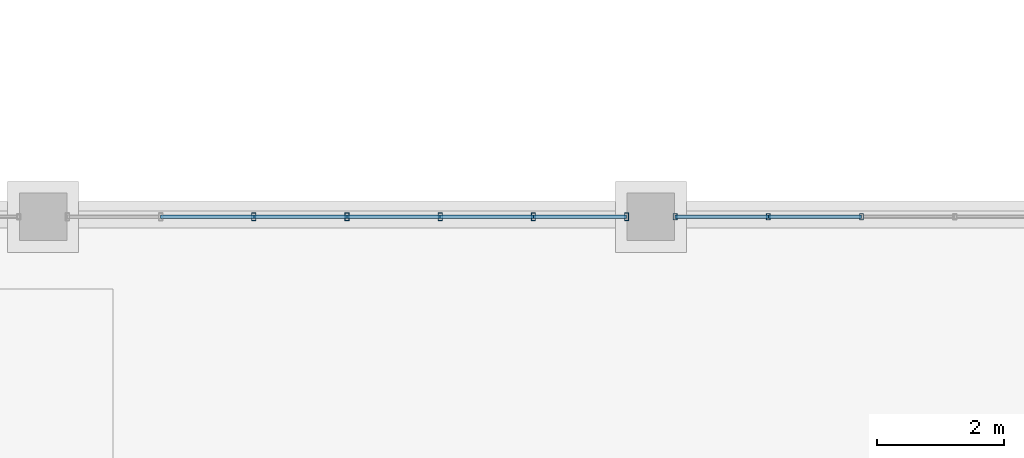
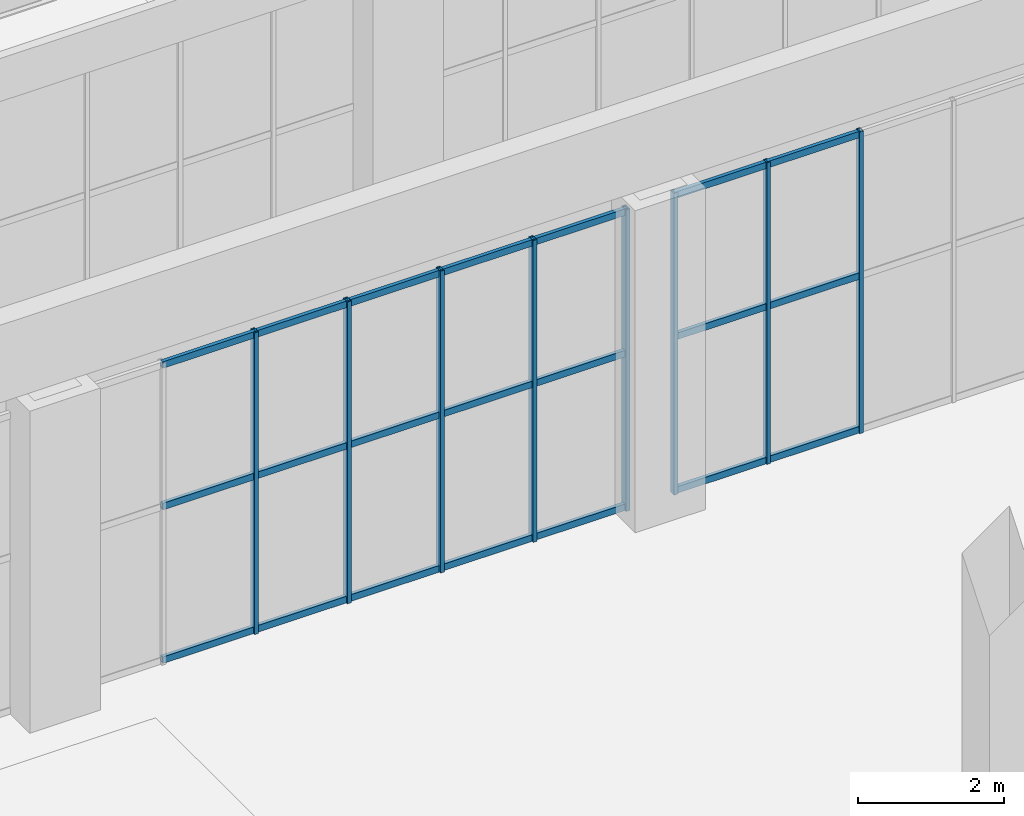
# One storey, part 96 of 164: 29 members, 2 elements without a shape of their own.
"""IFC4 building model written with IfcOpenShell, lengths in metres."""

from ifc_helpers import new_model, si_unit, direction, frame, origin, origin_2d, place, context, subcontext, project, spatial, hollow_rectangle, extrude, material, material_profile, profile_set, type_object, element, aggregate, save


model = new_model("IFC4")

# Units and contexts
model_context = context("Model", 3, precision=1e-05, world=origin(), true_north=direction((0.0, 1.0)))
body_context = subcontext(model_context, "Body", "Model", "MODEL_VIEW")
ifc_project = project(units=[si_unit("LENGTHUNIT", "METRE"), si_unit("AREAUNIT", "SQUARE_METRE"), si_unit("VOLUMEUNIT", "CUBIC_METRE"), si_unit("PLANEANGLEUNIT", "RADIAN"), si_unit("MASSUNIT", "GRAM", prefix="KILO")], contexts=[model_context])

# Site, building, storey
site_placement = place(None, origin())
site = spatial("IfcSite", under=ifc_project, at=site_placement, CompositionType="ELEMENT")
building_placement = place(site_placement, origin())
building = spatial("IfcBuilding", under=site, at=building_placement, Name="Mavantir Sound Aquarium", CompositionType="ELEMENT")
storey_placement = place(building_placement, origin())
storey = spatial("IfcBuildingStorey", under=building, at=storey_placement, Name="L00", CompositionType="ELEMENT", Elevation=0.0)

# Curtain wall, members
ifc_material_1 = material(Name="Anodised Marine Aluminium and Low-E Glass", Category="aluminium")
curtain_wall_type_1 = type_object("IfcCurtainWallType", Name="CW-T23", PredefinedType="USERDEFINED", material=ifc_material_1)
curtain_wall_1_placement = place(storey_placement, origin())
curtain_wall_1 = element("IfcCurtainWall", 1, at=curtain_wall_1_placement, inside=storey, type_object=curtain_wall_type_1, Name="L00 unitised curtain wall CW-23 47", ObjectType="UNITISED GLAZING", PredefinedType="USERDEFINED")
ifc_material_2 = material(Name="Anodised Marine Aluminium 6063-T6", Category="aluminium")
ifc_material_profile_1 = material_profile(ifc_material_2, hollow_rectangle(XDim=0.06005859375, YDim=0.10009765625, WallThickness=0.00390625, at=origin_2d()), Name="ALU-MULLION-100X60")
ifc_profile_set_1 = profile_set([ifc_material_profile_1], Name="Anodised Marine Aluminium 6063-T6")
member_type_1 = type_object("IfcMemberType", Name="CW-MUL-100", PredefinedType="MULLION", material=ifc_profile_set_1)
member_1_placement = place(storey_placement, frame((168.927734375, 28.800048828125, 0.0), z_axis=(0.0, 0.0, 1.0), x_axis=(1.0, 0.0, 0.0)))
member_1 = element("IfcMember", 2, at=member_1_placement, type_object=member_type_1, Name="CW-L00-047 vertical mullion 5", PredefinedType="MULLION", context=body_context, shape_type="SweptSolid", body=[
    extrude(hollow_rectangle(XDim=0.06005859375, YDim=0.10009765625, WallThickness=0.00390625, at=origin_2d()), origin(), (0.0, 0.0, 1.0), 5.06005859375),
])
member_2_placement = place(storey_placement, frame((167.455322265625, 28.800048828125, 0.0), z_axis=(0.0, 0.0, 1.0), x_axis=(1.0, 0.0, 0.0)))
member_2 = element("IfcMember", 3, at=member_2_placement, type_object=member_type_1, Name="CW-L00-047 vertical mullion 6", PredefinedType="MULLION", context=body_context, shape_type="SweptSolid", body=[
    extrude(hollow_rectangle(XDim=0.06005859375, YDim=0.10009765625, WallThickness=0.00390625, at=origin_2d()), origin(), (0.0, 0.0, 1.0), 5.06005859375),
])
member_3_placement = place(storey_placement, frame((165.98291015625, 28.800048828125, 0.0), z_axis=(0.0, 0.0, 1.0), x_axis=(1.0, 0.0, 0.0)))
member_3 = element("IfcMember", 4, at=member_3_placement, type_object=member_type_1, Name="CW-L00-047 vertical mullion 7", PredefinedType="MULLION", context=body_context, shape_type="SweptSolid", body=[
    extrude(hollow_rectangle(XDim=0.06005859375, YDim=0.10009765625, WallThickness=0.00390625, at=origin_2d()), origin(), (0.0, 0.0, 1.0), 5.06005859375),
])

curtain_wall_type_2 = type_object("IfcCurtainWallType", Name="CW-T24", PredefinedType="USERDEFINED", material=ifc_material_1)
curtain_wall_2_placement = place(storey_placement, origin())
curtain_wall_2 = element("IfcCurtainWall", 5, at=curtain_wall_2_placement, inside=storey, type_object=curtain_wall_type_2, Name="L00 unitised curtain wall CW-24 48", ObjectType="UNITISED GLAZING", PredefinedType="USERDEFINED")
ifc_material_profile_2 = material_profile(ifc_material_2, hollow_rectangle(XDim=0.06494140625, YDim=0.1201171875, WallThickness=0.00390625, at=origin_2d()), Name="ALU-MULLION-120X65")
ifc_profile_set_2 = profile_set([ifc_material_profile_2], Name="Anodised Marine Aluminium 6063-T6")
member_type_2 = type_object("IfcMemberType", Name="CW-MUL-120", PredefinedType="MULLION", material=ifc_profile_set_2)
member_4_placement = place(storey_placement, frame((165.217041015625, 28.800048828125, 0.0), z_axis=(0.0, 0.0, 1.0), x_axis=(1.0, 0.0, 0.0)))
member_4 = element("IfcMember", 6, at=member_4_placement, type_object=member_type_2, Name="CW-L00-048 vertical mullion 1", PredefinedType="MULLION", context=body_context, shape_type="SweptSolid", body=[
    extrude(hollow_rectangle(XDim=0.06494140625, YDim=0.1201171875, WallThickness=0.00390625, at=origin_2d()), origin(), (0.0, 0.0, 1.0), 5.06005859375),
])
member_5_placement = place(storey_placement, frame((163.74462890625, 28.800048828125, 0.0), z_axis=(0.0, 0.0, 1.0), x_axis=(1.0, 0.0, 0.0)))
member_5 = element("IfcMember", 7, at=member_5_placement, type_object=member_type_2, Name="CW-L00-048 vertical mullion 2", PredefinedType="MULLION", context=body_context, shape_type="SweptSolid", body=[
    extrude(hollow_rectangle(XDim=0.06494140625, YDim=0.1201171875, WallThickness=0.00390625, at=origin_2d()), origin(), (0.0, 0.0, 1.0), 5.06005859375),
])
member_6_placement = place(storey_placement, frame((162.272216796875, 28.800048828125, 0.0), z_axis=(0.0, 0.0, 1.0), x_axis=(1.0, 0.0, 0.0)))
member_6 = element("IfcMember", 8, at=member_6_placement, type_object=member_type_2, Name="CW-L00-048 vertical mullion 3", PredefinedType="MULLION", context=body_context, shape_type="SweptSolid", body=[
    extrude(hollow_rectangle(XDim=0.06494140625, YDim=0.1201171875, WallThickness=0.00390625, at=origin_2d()), origin(), (0.0, 0.0, 1.0), 5.06005859375),
])
member_7_placement = place(storey_placement, frame((160.800048828125, 28.800048828125, 0.0), z_axis=(0.0, 0.0, 1.0), x_axis=(1.0, 0.0, 0.0)))
member_7 = element("IfcMember", 9, at=member_7_placement, type_object=member_type_2, Name="CW-L00-048 vertical mullion 4", PredefinedType="MULLION", context=body_context, shape_type="SweptSolid", body=[
    extrude(hollow_rectangle(XDim=0.06494140625, YDim=0.1201171875, WallThickness=0.00390625, at=origin_2d()), origin(), (0.0, 0.0, 1.0), 5.06005859375),
])
member_8_placement = place(storey_placement, frame((159.32763671875, 28.800048828125, 0.0), z_axis=(0.0, 0.0, 1.0), x_axis=(1.0, 0.0, 0.0)))
member_8 = element("IfcMember", 10, at=member_8_placement, type_object=member_type_2, Name="CW-L00-048 vertical mullion 5", PredefinedType="MULLION", context=body_context, shape_type="SweptSolid", body=[
    extrude(hollow_rectangle(XDim=0.06494140625, YDim=0.1201171875, WallThickness=0.00390625, at=origin_2d()), origin(), (0.0, 0.0, 1.0), 5.06005859375),
])

# Member
ifc_material_profile_3 = material_profile(ifc_material_2, hollow_rectangle(XDim=0.06005859375, YDim=0.110107421875, WallThickness=0.00390625, at=origin_2d()), Name="ALU-TRANSOM-110X60")
ifc_profile_set_3 = profile_set([ifc_material_profile_3], Name="Anodised Marine Aluminium 6063-T6")
member_type_3 = type_object("IfcMemberType", Name="CW-TRN-110", PredefinedType="USERDEFINED", material=ifc_profile_set_3)
member_9_placement = place(storey_placement, frame((168.927734375, 28.800048828125, 0.054931640625), z_axis=(-1.0, 0.0, 0.0), x_axis=(0.0, -1.0, 0.0)))
member_9 = element("IfcMember", 11, at=member_9_placement, type_object=member_type_3, Name="CW-L00-047 transom 5.1", ObjectType="TRANSOM", PredefinedType="USERDEFINED", context=body_context, shape_type="SweptSolid", body=[
    extrude(hollow_rectangle(XDim=0.06005859375, YDim=0.110107421875, WallThickness=0.00390625, at=origin_2d()), origin(), (0.0, 0.0, 1.0), 1.472412109375),
])

member_10_placement = place(storey_placement, frame((168.927734375, 28.800048828125, 2.631103515625), z_axis=(-1.0, 0.0, 0.0), x_axis=(0.0, -1.0, 0.0)))
member_10 = element("IfcMember", 12, at=member_10_placement, type_object=member_type_3, Name="CW-L00-047 transom 5.2", ObjectType="TRANSOM", PredefinedType="USERDEFINED", context=body_context, shape_type="SweptSolid", body=[
    extrude(hollow_rectangle(XDim=0.06005859375, YDim=0.110107421875, WallThickness=0.00390625, at=origin_2d()), origin(), (0.0, 0.0, 1.0), 1.472412109375),
])

member_11_placement = place(storey_placement, frame((168.927734375, 28.800048828125, 5.0048828125), z_axis=(-1.0, 0.0, 0.0), x_axis=(0.0, -1.0, 0.0)))
member_11 = element("IfcMember", 13, at=member_11_placement, type_object=member_type_3, Name="CW-L00-047 transom 5.3", ObjectType="TRANSOM", PredefinedType="USERDEFINED", context=body_context, shape_type="SweptSolid", body=[
    extrude(hollow_rectangle(XDim=0.06005859375, YDim=0.110107421875, WallThickness=0.00390625, at=origin_2d()), origin(), (0.0, 0.0, 1.0), 1.472412109375),
])

member_12_placement = place(storey_placement, frame((167.455322265625, 28.800048828125, 0.054931640625), z_axis=(-1.0, 0.0, 0.0), x_axis=(0.0, -1.0, 0.0)))
member_12 = element("IfcMember", 14, at=member_12_placement, type_object=member_type_3, Name="CW-L00-047 transom 6.1", ObjectType="TRANSOM", PredefinedType="USERDEFINED", context=body_context, shape_type="SweptSolid", body=[
    extrude(hollow_rectangle(XDim=0.06005859375, YDim=0.110107421875, WallThickness=0.00390625, at=origin_2d()), origin(), (0.0, 0.0, 1.0), 1.472412109375),
])

member_13_placement = place(storey_placement, frame((167.455322265625, 28.800048828125, 2.631103515625), z_axis=(-1.0, 0.0, 0.0), x_axis=(0.0, -1.0, 0.0)))
member_13 = element("IfcMember", 15, at=member_13_placement, type_object=member_type_3, Name="CW-L00-047 transom 6.2", ObjectType="TRANSOM", PredefinedType="USERDEFINED", context=body_context, shape_type="SweptSolid", body=[
    extrude(hollow_rectangle(XDim=0.06005859375, YDim=0.110107421875, WallThickness=0.00390625, at=origin_2d()), origin(), (0.0, 0.0, 1.0), 1.472412109375),
])

member_14_placement = place(storey_placement, frame((167.455322265625, 28.800048828125, 5.0048828125), z_axis=(-1.0, 0.0, 0.0), x_axis=(0.0, -1.0, 0.0)))
member_14 = element("IfcMember", 16, at=member_14_placement, type_object=member_type_3, Name="CW-L00-047 transom 6.3", ObjectType="TRANSOM", PredefinedType="USERDEFINED", context=body_context, shape_type="SweptSolid", body=[
    extrude(hollow_rectangle(XDim=0.06005859375, YDim=0.110107421875, WallThickness=0.00390625, at=origin_2d()), origin(), (0.0, 0.0, 1.0), 1.472412109375),
])

aggregate(curtain_wall_1, [member_1, member_2, member_3, member_9, member_10, member_11, member_12, member_13, member_14])

member_15_placement = place(storey_placement, frame((165.217041015625, 28.800048828125, 0.054931640625), z_axis=(-1.0, 0.0, 0.0), x_axis=(0.0, -1.0, 0.0)))
member_15 = element("IfcMember", 17, at=member_15_placement, type_object=member_type_3, Name="CW-L00-048 transom 1.1", ObjectType="TRANSOM", PredefinedType="USERDEFINED", context=body_context, shape_type="SweptSolid", body=[
    extrude(hollow_rectangle(XDim=0.06005859375, YDim=0.110107421875, WallThickness=0.00390625, at=origin_2d()), origin(), (0.0, 0.0, 1.0), 1.472412109375),
])

member_16_placement = place(storey_placement, frame((165.217041015625, 28.800048828125, 2.631103515625), z_axis=(-1.0, 0.0, 0.0), x_axis=(0.0, -1.0, 0.0)))
member_16 = element("IfcMember", 18, at=member_16_placement, type_object=member_type_3, Name="CW-L00-048 transom 1.2", ObjectType="TRANSOM", PredefinedType="USERDEFINED", context=body_context, shape_type="SweptSolid", body=[
    extrude(hollow_rectangle(XDim=0.06005859375, YDim=0.110107421875, WallThickness=0.00390625, at=origin_2d()), origin(), (0.0, 0.0, 1.0), 1.472412109375),
])

member_17_placement = place(storey_placement, frame((165.217041015625, 28.800048828125, 5.0048828125), z_axis=(-1.0, 0.0, 0.0), x_axis=(0.0, -1.0, 0.0)))
member_17 = element("IfcMember", 19, at=member_17_placement, type_object=member_type_3, Name="CW-L00-048 transom 1.3", ObjectType="TRANSOM", PredefinedType="USERDEFINED", context=body_context, shape_type="SweptSolid", body=[
    extrude(hollow_rectangle(XDim=0.06005859375, YDim=0.110107421875, WallThickness=0.00390625, at=origin_2d()), origin(), (0.0, 0.0, 1.0), 1.472412109375),
])

member_18_placement = place(storey_placement, frame((163.74462890625, 28.800048828125, 0.054931640625), z_axis=(-1.0, 0.0, 0.0), x_axis=(0.0, -1.0, 0.0)))
member_18 = element("IfcMember", 20, at=member_18_placement, type_object=member_type_3, Name="CW-L00-048 transom 2.1", ObjectType="TRANSOM", PredefinedType="USERDEFINED", context=body_context, shape_type="SweptSolid", body=[
    extrude(hollow_rectangle(XDim=0.06005859375, YDim=0.110107421875, WallThickness=0.00390625, at=origin_2d()), origin(), (0.0, 0.0, 1.0), 1.472412109375),
])

member_19_placement = place(storey_placement, frame((163.74462890625, 28.800048828125, 2.631103515625), z_axis=(-1.0, 0.0, 0.0), x_axis=(0.0, -1.0, 0.0)))
member_19 = element("IfcMember", 21, at=member_19_placement, type_object=member_type_3, Name="CW-L00-048 transom 2.2", ObjectType="TRANSOM", PredefinedType="USERDEFINED", context=body_context, shape_type="SweptSolid", body=[
    extrude(hollow_rectangle(XDim=0.06005859375, YDim=0.110107421875, WallThickness=0.00390625, at=origin_2d()), origin(), (0.0, 0.0, 1.0), 1.472412109375),
])

member_20_placement = place(storey_placement, frame((163.74462890625, 28.800048828125, 5.0048828125), z_axis=(-1.0, 0.0, 0.0), x_axis=(0.0, -1.0, 0.0)))
member_20 = element("IfcMember", 22, at=member_20_placement, type_object=member_type_3, Name="CW-L00-048 transom 2.3", ObjectType="TRANSOM", PredefinedType="USERDEFINED", context=body_context, shape_type="SweptSolid", body=[
    extrude(hollow_rectangle(XDim=0.06005859375, YDim=0.110107421875, WallThickness=0.00390625, at=origin_2d()), origin(), (0.0, 0.0, 1.0), 1.472412109375),
])

member_21_placement = place(storey_placement, frame((162.272216796875, 28.800048828125, 0.054931640625), z_axis=(-1.0, 0.0, 0.0), x_axis=(0.0, -1.0, 0.0)))
member_21 = element("IfcMember", 23, at=member_21_placement, type_object=member_type_3, Name="CW-L00-048 transom 3.1", ObjectType="TRANSOM", PredefinedType="USERDEFINED", context=body_context, shape_type="SweptSolid", body=[
    extrude(hollow_rectangle(XDim=0.06005859375, YDim=0.110107421875, WallThickness=0.00390625, at=origin_2d()), origin(), (0.0, 0.0, 1.0), 1.47216796875),
])

member_22_placement = place(storey_placement, frame((162.272216796875, 28.800048828125, 2.631103515625), z_axis=(-1.0, 0.0, 0.0), x_axis=(0.0, -1.0, 0.0)))
member_22 = element("IfcMember", 24, at=member_22_placement, type_object=member_type_3, Name="CW-L00-048 transom 3.2", ObjectType="TRANSOM", PredefinedType="USERDEFINED", context=body_context, shape_type="SweptSolid", body=[
    extrude(hollow_rectangle(XDim=0.06005859375, YDim=0.110107421875, WallThickness=0.00390625, at=origin_2d()), origin(), (0.0, 0.0, 1.0), 1.47216796875),
])

member_23_placement = place(storey_placement, frame((162.272216796875, 28.800048828125, 5.0048828125), z_axis=(-1.0, 0.0, 0.0), x_axis=(0.0, -1.0, 0.0)))
member_23 = element("IfcMember", 25, at=member_23_placement, type_object=member_type_3, Name="CW-L00-048 transom 3.3", ObjectType="TRANSOM", PredefinedType="USERDEFINED", context=body_context, shape_type="SweptSolid", body=[
    extrude(hollow_rectangle(XDim=0.06005859375, YDim=0.110107421875, WallThickness=0.00390625, at=origin_2d()), origin(), (0.0, 0.0, 1.0), 1.47216796875),
])

member_24_placement = place(storey_placement, frame((160.800048828125, 28.800048828125, 0.054931640625), z_axis=(-1.0, 0.0, 0.0), x_axis=(0.0, -1.0, 0.0)))
member_24 = element("IfcMember", 26, at=member_24_placement, type_object=member_type_3, Name="CW-L00-048 transom 4.1", ObjectType="TRANSOM", PredefinedType="USERDEFINED", context=body_context, shape_type="SweptSolid", body=[
    extrude(hollow_rectangle(XDim=0.06005859375, YDim=0.110107421875, WallThickness=0.00390625, at=origin_2d()), origin(), (0.0, 0.0, 1.0), 1.472412109375),
])

member_25_placement = place(storey_placement, frame((160.800048828125, 28.800048828125, 2.631103515625), z_axis=(-1.0, 0.0, 0.0), x_axis=(0.0, -1.0, 0.0)))
member_25 = element("IfcMember", 27, at=member_25_placement, type_object=member_type_3, Name="CW-L00-048 transom 4.2", ObjectType="TRANSOM", PredefinedType="USERDEFINED", context=body_context, shape_type="SweptSolid", body=[
    extrude(hollow_rectangle(XDim=0.06005859375, YDim=0.110107421875, WallThickness=0.00390625, at=origin_2d()), origin(), (0.0, 0.0, 1.0), 1.472412109375),
])

member_26_placement = place(storey_placement, frame((160.800048828125, 28.800048828125, 5.0048828125), z_axis=(-1.0, 0.0, 0.0), x_axis=(0.0, -1.0, 0.0)))
member_26 = element("IfcMember", 28, at=member_26_placement, type_object=member_type_3, Name="CW-L00-048 transom 4.3", ObjectType="TRANSOM", PredefinedType="USERDEFINED", context=body_context, shape_type="SweptSolid", body=[
    extrude(hollow_rectangle(XDim=0.06005859375, YDim=0.110107421875, WallThickness=0.00390625, at=origin_2d()), origin(), (0.0, 0.0, 1.0), 1.472412109375),
])

member_27_placement = place(storey_placement, frame((159.32763671875, 28.800048828125, 0.054931640625), z_axis=(-1.0, 0.0, 0.0), x_axis=(0.0, -1.0, 0.0)))
member_27 = element("IfcMember", 29, at=member_27_placement, type_object=member_type_3, Name="CW-L00-048 transom 5.1", ObjectType="TRANSOM", PredefinedType="USERDEFINED", context=body_context, shape_type="SweptSolid", body=[
    extrude(hollow_rectangle(XDim=0.06005859375, YDim=0.110107421875, WallThickness=0.00390625, at=origin_2d()), origin(), (0.0, 0.0, 1.0), 1.472412109375),
])

member_28_placement = place(storey_placement, frame((159.32763671875, 28.800048828125, 2.631103515625), z_axis=(-1.0, 0.0, 0.0), x_axis=(0.0, -1.0, 0.0)))
member_28 = element("IfcMember", 30, at=member_28_placement, type_object=member_type_3, Name="CW-L00-048 transom 5.2", ObjectType="TRANSOM", PredefinedType="USERDEFINED", context=body_context, shape_type="SweptSolid", body=[
    extrude(hollow_rectangle(XDim=0.06005859375, YDim=0.110107421875, WallThickness=0.00390625, at=origin_2d()), origin(), (0.0, 0.0, 1.0), 1.472412109375),
])

member_29_placement = place(storey_placement, frame((159.32763671875, 28.800048828125, 5.0048828125), z_axis=(-1.0, 0.0, 0.0), x_axis=(0.0, -1.0, 0.0)))
member_29 = element("IfcMember", 31, at=member_29_placement, type_object=member_type_3, Name="CW-L00-048 transom 5.3", ObjectType="TRANSOM", PredefinedType="USERDEFINED", context=body_context, shape_type="SweptSolid", body=[
    extrude(hollow_rectangle(XDim=0.06005859375, YDim=0.110107421875, WallThickness=0.00390625, at=origin_2d()), origin(), (0.0, 0.0, 1.0), 1.472412109375),
])

aggregate(curtain_wall_2, [member_4, member_5, member_6, member_7, member_8, member_15, member_16, member_17, member_18, member_19, member_20, member_21, member_22, member_23, member_24, member_25, member_26, member_27, member_28, member_29])

save(model, "model.ifc")
